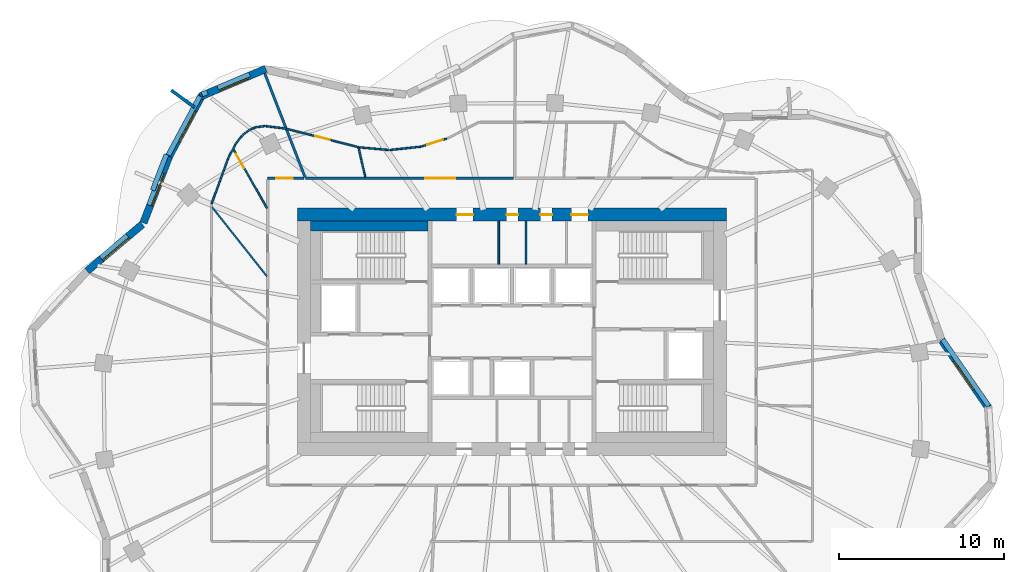
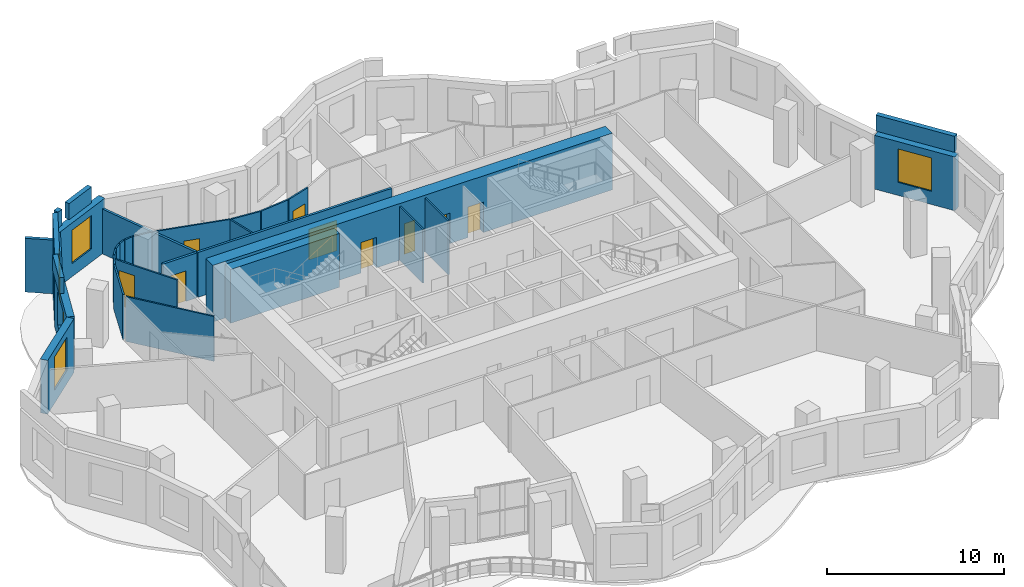
# One storey, part 9 of 13: 32 walls, 9 doors, 5 windows, 14 openings.
"""IFC4 building model written with IfcOpenShell, lengths in metres."""

from ifc_helpers import new_model, si_unit, direction, frame, frame_2d, origin, place, context, subcontext, project, spatial, rectangle, extrude, material, layer, layer_set, type_object, element, fill, save


model = new_model("IFC4")

# Units and contexts
model_context = context("Model", 3, precision=1e-05, world=origin(), true_north=direction((0.0, 1.0)))
body_context = subcontext(model_context, "Body", "Model", "MODEL_VIEW")
ifc_project = project(units=[si_unit("LENGTHUNIT", "METRE"), si_unit("AREAUNIT", "SQUARE_METRE"), si_unit("VOLUMEUNIT", "CUBIC_METRE"), si_unit("PLANEANGLEUNIT", "RADIAN"), si_unit("MASSUNIT", "GRAM", prefix="KILO")], contexts=[model_context])

# Site, building, storey
site_placement = place(None, origin())
site = spatial("IfcSite", under=ifc_project, at=site_placement, CompositionType="ELEMENT")
building_placement = place(site_placement, origin())
building = spatial("IfcBuilding", under=site, at=building_placement, Name="Rubra Terraces Tower", CompositionType="ELEMENT")
storey_placement = place(building_placement, frame((0.0, 0.0, 252.60009765625)))
storey = spatial("IfcBuildingStorey", under=building, at=storey_placement, Name="L62", CompositionType="ELEMENT", Elevation=252.60009765625)

# Wall, opening, window
ifc_material_1 = material(Name="Brick masonry red-brown", Category="masonry")
ifc_layer_1 = layer(ifc_material_1, 0.449951171875)
ifc_layer_set_1 = layer_set([ifc_layer_1], Name="Brick masonry red-brown")
wall_type_1 = type_object("IfcWallType", Name="Brick facade wall 450", PredefinedType="SOLIDWALL", material=ifc_layer_set_1)
wall_1_placement = place(storey_placement, frame((28.87841796875, -0.122802734375, 0.0), z_axis=(0.0, 0.0, 1.0), x_axis=(-0.569394732999, 0.8220642542, 0.0)))
wall_1 = element("IfcWall", 1, at=wall_1_placement, inside=storey, type_object=wall_type_1, Name="Facade wall L62 bay 1", PredefinedType="SOLIDWALL", context=body_context, shape_type="SweptSolid", body=[
    extrude(rectangle(XDim=5.015869140625, YDim=0.449951171875, at=frame_2d((2.5078125, 0.0))), origin(), (0.0, 0.0, 1.0), 3.699951171875),
])
opening_1_placement = place(wall_1_placement, frame((1.4580078125, 0.0, 0.89990234375)))
opening_1 = element("IfcOpeningElement", 2, at=opening_1_placement, cuts=wall_1, Name="Opening W1B", PredefinedType="OPENING", context=body_context, shape_type="SweptSolid", body=[
    extrude(rectangle(XDim=2.10009765625, YDim=2.300048828125, at=frame_2d((1.050048828125, 1.14990234375))), frame((0.0, 0.23486328125, 0.0), z_axis=(0.0, -1.0, 0.0), x_axis=(1.0, 0.0, 0.0)), (0.0, 0.0, 1.0), 0.469970703125),
])
ifc_material_2 = material(Name="Clear glass in aluminium frame", Category="aluminium")
window_type_1 = type_object("IfcWindowType", Name="Fixed deep-set window tall storey 2100 x 2300", PartitioningType="SINGLE_PANEL", PredefinedType="WINDOW", material=ifc_material_2)
window_1_placement = place(opening_1_placement, origin())
window_1 = element("IfcWindow", 3, at=window_1_placement, inside=storey, type_object=window_type_1, Name="Window L62 bay 1", OverallHeight=2.300048828125, OverallWidth=2.10009765625, PartitioningType="SINGLE_PANEL", PredefinedType="WINDOW", context=body_context, shape_type="SweptSolid", body=[
    extrude(rectangle(XDim=2.10009765625, YDim=2.300048828125, at=frame_2d((1.050048828125, 1.14990234375))), frame((0.0, 0.135009765625, 0.0), z_axis=(0.0, -1.0, 0.0), x_axis=(1.0, 0.0, 0.0)), (0.0, 0.0, 1.0), 0.06005859375),
])
fill(opening_1, window_1)

wall_2_placement = place(storey_placement, frame((-14.906494140625, 20.4306640625, 0.0), z_axis=(0.0, 0.0, 1.0), x_axis=(-0.921435803521, -0.388530642279, 0.0)))
wall_2 = element("IfcWall", 4, at=wall_2_placement, inside=storey, type_object=wall_type_1, Name="Facade wall L62 bay 15", PredefinedType="SOLIDWALL", context=body_context, shape_type="SweptSolid", body=[
    extrude(rectangle(XDim=4.308837890625, YDim=0.449951171875, at=frame_2d((2.154296875, 0.0))), origin(), (0.0, 0.0, 1.0), 3.699951171875),
])
opening_2_placement = place(wall_2_placement, frame((1.25439453125, 0.0, 0.89990234375)))
opening_2 = element("IfcOpeningElement", 5, at=opening_2_placement, cuts=wall_2, Name="Opening W6B", PredefinedType="OPENING", context=body_context, shape_type="SweptSolid", body=[
    extrude(rectangle(XDim=1.800048828125, YDim=2.300048828125, at=frame_2d((0.89990234375, 1.14990234375))), frame((0.0, 0.23486328125, 0.0), z_axis=(0.0, -1.0, 0.0), x_axis=(1.0, 0.0, 0.0)), (0.0, 0.0, 1.0), 0.469970703125),
])
window_type_2 = type_object("IfcWindowType", Name="Fixed deep-set window at wind fin tall storey 1800 x 2300", PartitioningType="SINGLE_PANEL", PredefinedType="WINDOW", material=ifc_material_2)
window_2_placement = place(opening_2_placement, origin())
window_2 = element("IfcWindow", 6, at=window_2_placement, inside=storey, type_object=window_type_2, Name="Window L62 bay 15", OverallHeight=2.300048828125, OverallWidth=1.800048828125, PartitioningType="SINGLE_PANEL", PredefinedType="WINDOW", context=body_context, shape_type="SweptSolid", body=[
    extrude(rectangle(XDim=1.800048828125, YDim=2.300048828125, at=frame_2d((0.89990234375, 1.14990234375))), frame((0.0, 0.135009765625, 0.0), z_axis=(0.0, -1.0, 0.0), x_axis=(1.0, 0.0, 0.0)), (0.0, 0.0, 1.0), 0.06005859375),
])
fill(opening_2, window_2)

wall_3_placement = place(storey_placement, frame((-18.767333984375, 18.8544921875, 0.0), z_axis=(0.0, 0.0, 1.0), x_axis=(-0.474475888716, -0.880268499395, 0.0)))
wall_3 = element("IfcWall", 7, at=wall_3_placement, inside=storey, type_object=wall_type_1, Name="Facade wall L62 bay 16", PredefinedType="SOLIDWALL", context=body_context, shape_type="SweptSolid", body=[
    extrude(rectangle(XDim=4.21923828125, YDim=0.449951171875, at=frame_2d((2.109619140625, 0.0))), origin(), (0.0, 0.0, 1.0), 3.699951171875),
])
opening_3_placement = place(wall_3_placement, frame((1.059814453125, 0.0, 0.89990234375)))
opening_3 = element("IfcOpeningElement", 8, at=opening_3_placement, cuts=wall_3, Name="Opening W1B", PredefinedType="OPENING", context=body_context, shape_type="SweptSolid", body=[
    extrude(rectangle(XDim=2.10009765625, YDim=2.300048828125, at=frame_2d((1.050048828125, 1.14990234375))), frame((0.0, 0.23486328125, 0.0), z_axis=(0.0, -1.0, 0.0), x_axis=(1.0, 0.0, 0.0)), (0.0, 0.0, 1.0), 0.469970703125),
])
window_3_placement = place(opening_3_placement, origin())
window_3 = element("IfcWindow", 9, at=window_3_placement, inside=storey, type_object=window_type_1, Name="Window L62 bay 16", OverallHeight=2.300048828125, OverallWidth=2.10009765625, PartitioningType="SINGLE_PANEL", PredefinedType="WINDOW", context=body_context, shape_type="SweptSolid", body=[
    extrude(rectangle(XDim=2.10009765625, YDim=2.300048828125, at=frame_2d((1.050048828125, 1.14990234375))), frame((0.0, 0.135009765625, 0.0), z_axis=(0.0, -1.0, 0.0), x_axis=(1.0, 0.0, 0.0)), (0.0, 0.0, 1.0), 0.06005859375),
])
fill(opening_3, window_3)

wall_4_placement = place(storey_placement, frame((-20.757080078125, 15.166015625, 0.0), z_axis=(0.0, 0.0, 1.0), x_axis=(-0.360067043581, -0.932926430179, 0.0)))
wall_4 = element("IfcWall", 10, at=wall_4_placement, inside=storey, type_object=wall_type_1, Name="Facade wall L62 bay 17", PredefinedType="SOLIDWALL", context=body_context, shape_type="SweptSolid", body=[
    extrude(rectangle(XDim=4.35986328125, YDim=0.449951171875, at=frame_2d((2.179931640625, 0.0))), origin(), (0.0, 0.0, 1.0), 3.699951171875),
])
opening_4_placement = place(wall_4_placement, frame((1.1298828125, 0.0, 0.89990234375)))
opening_4 = element("IfcOpeningElement", 11, at=opening_4_placement, cuts=wall_4, Name="Opening W1B", PredefinedType="OPENING", context=body_context, shape_type="SweptSolid", body=[
    extrude(rectangle(XDim=2.10009765625, YDim=2.300048828125, at=frame_2d((1.050048828125, 1.14990234375))), frame((0.0, 0.23486328125, 0.0), z_axis=(0.0, -1.0, 0.0), x_axis=(1.0, 0.0, 0.0)), (0.0, 0.0, 1.0), 0.469970703125),
])
window_4_placement = place(opening_4_placement, origin())
window_4 = element("IfcWindow", 12, at=window_4_placement, inside=storey, type_object=window_type_1, Name="Window L62 bay 17", OverallHeight=2.300048828125, OverallWidth=2.10009765625, PartitioningType="SINGLE_PANEL", PredefinedType="WINDOW", context=body_context, shape_type="SweptSolid", body=[
    extrude(rectangle(XDim=2.10009765625, YDim=2.300048828125, at=frame_2d((1.050048828125, 1.14990234375))), frame((0.0, 0.135009765625, 0.0), z_axis=(0.0, -1.0, 0.0), x_axis=(1.0, 0.0, 0.0)), (0.0, 0.0, 1.0), 0.06005859375),
])
fill(opening_4, window_4)

wall_5_placement = place(storey_placement, frame((-22.385986328125, 11.014404296875, 0.0), z_axis=(0.0, 0.0, 1.0), x_axis=(-0.763569952162, -0.645725118108, 0.0)))
wall_5 = element("IfcWall", 13, at=wall_5_placement, inside=storey, type_object=wall_type_1, Name="Facade wall L62 bay 18", PredefinedType="SOLIDWALL", context=body_context, shape_type="SweptSolid", body=[
    extrude(rectangle(XDim=4.3857421875, YDim=0.449951171875, at=frame_2d((2.19287109375, 0.0))), origin(), (0.0, 0.0, 1.0), 3.699951171875),
])
opening_5_placement = place(wall_5_placement, frame((1.14306640625, 0.0, 0.89990234375)))
opening_5 = element("IfcOpeningElement", 14, at=opening_5_placement, cuts=wall_5, Name="Opening W1B", PredefinedType="OPENING", context=body_context, shape_type="SweptSolid", body=[
    extrude(rectangle(XDim=2.10009765625, YDim=2.300048828125, at=frame_2d((1.050048828125, 1.14990234375))), frame((0.0, 0.23486328125, 0.0), z_axis=(0.0, -1.0, 0.0), x_axis=(1.0, 0.0, 0.0)), (0.0, 0.0, 1.0), 0.469970703125),
])
window_5_placement = place(opening_5_placement, origin())
window_5 = element("IfcWindow", 15, at=window_5_placement, inside=storey, type_object=window_type_1, Name="Window L62 bay 18", OverallHeight=2.300048828125, OverallWidth=2.10009765625, PartitioningType="SINGLE_PANEL", PredefinedType="WINDOW", context=body_context, shape_type="SweptSolid", body=[
    extrude(rectangle(XDim=2.10009765625, YDim=2.300048828125, at=frame_2d((1.050048828125, 1.14990234375))), frame((0.0, 0.135009765625, 0.0), z_axis=(0.0, -1.0, 0.0), x_axis=(1.0, 0.0, 0.0)), (0.0, 0.0, 1.0), 0.06005859375),
])
fill(opening_5, window_5)

# Walls
ifc_layer_2 = layer(ifc_material_1, 0.300048828125)
ifc_layer_set_2 = layer_set([ifc_layer_2], Name="Brick masonry red-brown")
wall_type_2 = type_object("IfcWallType", Name="Brick parapet 300", PredefinedType="PARAPET", material=ifc_layer_set_2)
wall_6_placement = place(storey_placement, frame((28.878662109375, 0.008544921875, 3.89990234375), z_axis=(0.0, 0.0, 1.0), x_axis=(-0.569370412902, 0.822081098744, 0.0)))
element("IfcWall", 16, at=wall_6_placement, inside=storey, type_object=wall_type_2, Name="Parapet L62 bay 1", PredefinedType="PARAPET", context=body_context, shape_type="SweptSolid", body=[
    extrude(rectangle(XDim=4.90576171875, YDim=0.300048828125, at=frame_2d((2.452880859375, 0.0))), origin(), (0.0, 0.0, 1.0), 1.10009765625),
])
wall_7_placement = place(storey_placement, frame((-15.890869140625, 20.096923828125, 3.89990234375), z_axis=(0.0, 0.0, 1.0), x_axis=(-0.921468908678, -0.388452121038, 0.0)))
element("IfcWall", 17, at=wall_7_placement, inside=storey, type_object=wall_type_2, Name="Parapet L62 bay 15", PredefinedType="PARAPET", context=body_context, shape_type="SweptSolid", body=[
    extrude(rectangle(XDim=2.09912109375, YDim=0.300048828125, at=frame_2d((1.049560546875, 0.0))), origin(), (0.0, 0.0, 1.0), 1.10009765625),
])
wall_8_placement = place(storey_placement, frame((-18.4462890625, 19.01953125, 3.89990234375), z_axis=(0.0, 0.0, 1.0), x_axis=(-0.921356634102, -0.388718346358, 0.0)))
element("IfcWall", 18, at=wall_8_placement, inside=storey, type_object=wall_type_2, Name="Parapet L62 bay 15.2", PredefinedType="PARAPET", context=body_context, shape_type="SweptSolid", body=[
    extrude(rectangle(XDim=0.363037109375, YDim=0.300048828125, at=frame_2d((0.181640625, 0.0))), origin(), (0.0, 0.0, 1.0), 1.10009765625),
])
wall_9_placement = place(storey_placement, frame((-18.896484375, 18.7734375, 3.89990234375), z_axis=(0.0, 0.0, 1.0), x_axis=(-0.474444905835, -0.880285198857, 0.0)))
element("IfcWall", 19, at=wall_9_placement, inside=storey, type_object=wall_type_2, Name="Parapet L62 bay 16", PredefinedType="PARAPET", context=body_context, shape_type="SweptSolid", body=[
    extrude(rectangle(XDim=4.0498046875, YDim=0.300048828125, at=frame_2d((2.02490234375, 0.0))), origin(), (0.0, 0.0, 1.0), 1.10009765625),
])
wall_10_placement = place(storey_placement, frame((-20.932861328125, 15.236572265625, 3.89990234375), z_axis=(0.0, 0.0, 1.0), x_axis=(-0.360021038217, -0.932944184848, 0.0)))
element("IfcWall", 20, at=wall_10_placement, inside=storey, type_object=wall_type_2, Name="Parapet L62 bay 17", PredefinedType="PARAPET", context=body_context, shape_type="SweptSolid", body=[
    extrude(rectangle(XDim=2.3232421875, YDim=0.300048828125, at=frame_2d((1.16162109375, 0.0))), origin(), (0.0, 0.0, 1.0), 1.10009765625),
])
ifc_layer_3 = layer(ifc_material_1, 0.199951171875)
ifc_layer_set_3 = layer_set([ifc_layer_3], Name="Brick masonry red-brown")
wall_type_3 = type_object("IfcWallType", Name="Brick wind fin 200", PredefinedType="SOLIDWALL", material=ifc_layer_set_3)
wall_11_placement = place(storey_placement, frame((-19.23095703125, 18.09912109375, 0.0), z_axis=(0.0, 0.0, 1.0), x_axis=(-0.806085538754, 0.591799040394, 0.0)))
element("IfcWall", 21, at=wall_11_placement, inside=storey, type_object=wall_type_3, Name="Wind fin L62 10", PredefinedType="SOLIDWALL", context=body_context, shape_type="SweptSolid", body=[
    extrude(rectangle(XDim=1.75, YDim=0.199951171875, at=frame_2d((0.875, 0.0))), origin(), (0.0, 0.0, 1.0), 3.699951171875),
])

# Wall, openings, doors
ifc_material_3 = material(Name="Concrete C50", Category="concrete")
ifc_layer_4 = layer(ifc_material_3, 0.800048828125)
ifc_layer_set_4 = layer_set([ifc_layer_4], Name="Concrete C50")
wall_type_4 = type_object("IfcWallType", Name="CORE WALL 800 C50", PredefinedType="SHEAR", material=ifc_layer_set_4)
wall_12_placement = place(storey_placement, frame((-13.0, 11.60009765625, 0.0), z_axis=(0.0, 0.0, 1.0), x_axis=(1.0, 0.0, 0.0)))
wall_12 = element("IfcWall", 22, at=wall_12_placement, inside=storey, type_object=wall_type_4, Name="CORE WALL N L62", PredefinedType="SHEAR", context=body_context, shape_type="SweptSolid", body=[
    extrude(rectangle(XDim=26.0, YDim=0.800048828125, at=frame_2d((13.0, 0.0))), origin(), (0.0, 0.0, 1.0), 3.89990234375),
])
opening_6_placement = place(wall_12_placement, frame((9.64990234375, 0.0, 0.0)))
opening_6 = element("IfcOpeningElement", 23, at=opening_6_placement, cuts=wall_12, Name="Opening L62.C25", PredefinedType="OPENING", context=body_context, shape_type="SweptSolid", body=[
    extrude(rectangle(XDim=1.0, YDim=2.10009765625, at=frame_2d((0.5, 1.050048828125))), frame((0.0, 0.409912109375, 0.0), z_axis=(0.0, -1.0, 0.0), x_axis=(1.0, 0.0, 0.0)), (0.0, 0.0, 1.0), 0.820068359375),
])
opening_7_placement = place(wall_12_placement, frame((12.675048828125, 0.0, 0.0)))
opening_7 = element("IfcOpeningElement", 24, at=opening_7_placement, cuts=wall_12, Name="Opening L62.C26", PredefinedType="OPENING", context=body_context, shape_type="SweptSolid", body=[
    extrude(rectangle(XDim=0.699951171875, YDim=2.10009765625, at=frame_2d((0.35009765625, 1.050048828125))), frame((0.0, 0.409912109375, 0.0), z_axis=(0.0, -1.0, 0.0), x_axis=(1.0, 0.0, 0.0)), (0.0, 0.0, 1.0), 0.820068359375),
])
opening_8_placement = place(wall_12_placement, frame((14.72509765625, 0.0, 0.0)))
opening_8 = element("IfcOpeningElement", 25, at=opening_8_placement, cuts=wall_12, Name="Opening L62.C27", PredefinedType="OPENING", context=body_context, shape_type="SweptSolid", body=[
    extrude(rectangle(XDim=0.699951171875, YDim=2.10009765625, at=frame_2d((0.35009765625, 1.050048828125))), frame((0.0, 0.409912109375, 0.0), z_axis=(0.0, -1.0, 0.0), x_axis=(1.0, 0.0, 0.0)), (0.0, 0.0, 1.0), 0.820068359375),
])
opening_9_placement = place(wall_12_placement, frame((16.60009765625, 0.0, 0.0)))
opening_9 = element("IfcOpeningElement", 26, at=opening_9_placement, cuts=wall_12, Name="Opening L62.C28", PredefinedType="OPENING", context=body_context, shape_type="SweptSolid", body=[
    extrude(rectangle(XDim=1.0, YDim=2.10009765625, at=frame_2d((0.5, 1.050048828125))), frame((0.0, 0.409912109375, 0.0), z_axis=(0.0, -1.0, 0.0), x_axis=(1.0, 0.0, 0.0)), (0.0, 0.0, 1.0), 0.820068359375),
])
ifc_material_4 = material(Name="Painted steel", Category="steel")
door_type_1 = type_object("IfcDoorType", Name="Fire door 1000x2100 single", OperationType="NOTDEFINED", PredefinedType="DOOR", material=ifc_material_4)
door_1_placement = place(opening_6_placement, origin())
door_1 = element("IfcDoor", 27, at=door_1_placement, inside=storey, type_object=door_type_1, Name="Tea point door", OperationType="SINGLE_SWING_LEFT", OverallHeight=2.10009765625, OverallWidth=1.0, PredefinedType="DOOR", context=body_context, shape_type="SweptSolid", body=[
    extrude(rectangle(XDim=1.0, YDim=2.10009765625, at=frame_2d((0.5, 1.050048828125))), frame((0.0, 0.02490234375, 0.0), z_axis=(0.0, -1.0, 0.0), x_axis=(1.0, 0.0, 0.0)), (0.0, 0.0, 1.0), 0.050048828125),
])
fill(opening_6, door_1)
door_2_placement = place(opening_9_placement, origin())
door_2 = element("IfcDoor", 28, at=door_2_placement, inside=storey, type_object=door_type_1, Name="General store door", OperationType="SINGLE_SWING_RIGHT", OverallHeight=2.10009765625, OverallWidth=1.0, PredefinedType="DOOR", context=body_context, shape_type="SweptSolid", body=[
    extrude(rectangle(XDim=1.0, YDim=2.10009765625, at=frame_2d((0.5, 1.050048828125))), frame((0.0, 0.02490234375, 0.0), z_axis=(0.0, -1.0, 0.0), x_axis=(1.0, 0.0, 0.0)), (0.0, 0.0, 1.0), 0.050048828125),
])
fill(opening_9, door_2)
door_type_2 = type_object("IfcDoorType", Name="Riser access door 700x2100 single", OperationType="NOTDEFINED", PredefinedType="DOOR", material=ifc_material_4)
door_3_placement = place(opening_7_placement, origin())
door_3 = element("IfcDoor", 29, at=door_3_placement, inside=storey, type_object=door_type_2, Name="Electrical riser room door", OperationType="SINGLE_SWING_RIGHT", OverallHeight=2.10009765625, OverallWidth=0.699951171875, PredefinedType="DOOR", context=body_context, shape_type="SweptSolid", body=[
    extrude(rectangle(XDim=0.699951171875, YDim=2.10009765625, at=frame_2d((0.35009765625, 1.050048828125))), frame((0.0, 0.02490234375, 0.0), z_axis=(0.0, -1.0, 0.0), x_axis=(1.0, 0.0, 0.0)), (0.0, 0.0, 1.0), 0.050048828125),
])
fill(opening_7, door_3)
door_4_placement = place(opening_8_placement, origin())
door_4 = element("IfcDoor", 30, at=door_4_placement, inside=storey, type_object=door_type_2, Name="Telecoms room door", OperationType="SINGLE_SWING_LEFT", OverallHeight=2.10009765625, OverallWidth=0.699951171875, PredefinedType="DOOR", context=body_context, shape_type="SweptSolid", body=[
    extrude(rectangle(XDim=0.699951171875, YDim=2.10009765625, at=frame_2d((0.35009765625, 1.050048828125))), frame((0.0, 0.02490234375, 0.0), z_axis=(0.0, -1.0, 0.0), x_axis=(1.0, 0.0, 0.0)), (0.0, 0.0, 1.0), 0.050048828125),
])
fill(opening_8, door_4)

# Wall, opening, door
ifc_material_5 = material(Name="Plasterboard on steel stud, mineral wool infill", Category="steel")
ifc_layer_5 = layer(ifc_material_5, 0.14990234375)
ifc_layer_set_5 = layer_set([ifc_layer_5], Name="Plasterboard on steel stud, mineral wool infill")
wall_type_5 = type_object("IfcWallType", Name="CORRIDOR PARTITION 150", PredefinedType="PARTITIONING", material=ifc_layer_set_5)
wall_13_placement = place(storey_placement, frame((0.09765625, 13.800048828125, 0.0), z_axis=(0.0, 0.0, 1.0), x_axis=(-1.0, 0.0, 0.0)))
wall_13 = element("IfcWall", 31, at=wall_13_placement, inside=storey, type_object=wall_type_5, Name="PARTITION", PredefinedType="PARTITIONING", context=body_context, shape_type="SweptSolid", body=[
    extrude(rectangle(XDim=12.608642578125, YDim=0.14990234375, at=frame_2d((6.30419921875, 0.0))), origin(), (0.0, 0.0, 1.0), 3.083984375),
])
opening_10_placement = place(wall_13_placement, frame((3.548095703125, 0.0, 0.0)))
opening_10 = element("IfcOpeningElement", 32, at=opening_10_placement, cuts=wall_13, Name="Opening 62-105", PredefinedType="OPENING", context=body_context, shape_type="SweptSolid", body=[
    extrude(rectangle(XDim=1.800048828125, YDim=2.10009765625, at=frame_2d((0.89990234375, 1.050048828125))), frame((0.0, 0.0849609375, 0.0), z_axis=(0.0, -1.0, 0.0), x_axis=(1.0, 0.0, 0.0)), (0.0, 0.0, 1.0), 0.169921875),
])
ifc_material_6 = material(Name="Painted timber door leaf, double", Category="wood")
door_type_3 = type_object("IfcDoorType", Name="ROOM DOUBLE DOOR 1800 X 2100", OperationType="DOUBLE_DOOR_SINGLE_SWING", PredefinedType="DOOR", material=ifc_material_6)
door_5_placement = place(opening_10_placement, origin())
door_5 = element("IfcDoor", 33, at=door_5_placement, inside=storey, type_object=door_type_3, Name="DOOR 62-105", OperationType="DOUBLE_DOOR_SINGLE_SWING", OverallHeight=2.10009765625, OverallWidth=1.800048828125, PredefinedType="DOOR", context=body_context, shape_type="SweptSolid", body=[
    extrude(rectangle(XDim=1.800048828125, YDim=2.10009765625, at=frame_2d((0.89990234375, 1.050048828125))), frame((0.0, 0.02490234375, 0.0), z_axis=(0.0, -1.0, 0.0), x_axis=(1.0, 0.0, 0.0)), (0.0, 0.0, 1.0), 0.050048828125),
])
fill(opening_10, door_5)

wall_14_placement = place(storey_placement, frame((-12.5859375, 13.800048828125, 0.0), z_axis=(0.0, 0.0, 1.0), x_axis=(-1.0, 0.0, 0.0)))
wall_14 = element("IfcWall", 34, at=wall_14_placement, inside=storey, type_object=wall_type_5, Name="PARTITION", PredefinedType="PARTITIONING", context=body_context, shape_type="SweptSolid", body=[
    extrude(rectangle(XDim=2.214111328125, YDim=0.14990234375, at=frame_2d((1.10693359375, 0.0))), origin(), (0.0, 0.0, 1.0), 3.083984375),
])
opening_11_placement = place(wall_14_placement, frame((0.699951171875, 0.0, 0.0)))
opening_11 = element("IfcOpeningElement", 35, at=opening_11_placement, cuts=wall_14, Name="Opening 62-108", PredefinedType="OPENING", context=body_context, shape_type="SweptSolid", body=[
    extrude(rectangle(XDim=1.0, YDim=2.10009765625, at=frame_2d((0.5, 1.050048828125))), frame((0.0, 0.0849609375, 0.0), z_axis=(0.0, -1.0, 0.0), x_axis=(1.0, 0.0, 0.0)), (0.0, 0.0, 1.0), 0.169921875),
])
ifc_material_7 = material(Name="Painted timber door leaf", Category="wood")
door_type_4 = type_object("IfcDoorType", Name="ROOM DOOR 1000 X 2100", OperationType="SINGLE_SWING_LEFT", PredefinedType="DOOR", material=ifc_material_7)
door_6_placement = place(opening_11_placement, origin())
door_6 = element("IfcDoor", 36, at=door_6_placement, inside=storey, type_object=door_type_4, Name="DOOR 62-108", OperationType="SINGLE_SWING_RIGHT", OverallHeight=2.10009765625, OverallWidth=1.0, PredefinedType="DOOR", context=body_context, shape_type="SweptSolid", body=[
    extrude(rectangle(XDim=1.0, YDim=2.10009765625, at=frame_2d((0.5, 1.050048828125))), frame((0.0, 0.02490234375, 0.0), z_axis=(0.0, -1.0, 0.0), x_axis=(1.0, 0.0, 0.0)), (0.0, 0.0, 1.0), 0.050048828125),
])
fill(opening_11, door_6)

# Wall
ifc_material_8 = material(Name="Concrete C40", Category="concrete")
ifc_layer_6 = layer(ifc_material_8, 0.60009765625)
ifc_layer_set_6 = layer_set([ifc_layer_6], Name="Concrete C40")
wall_type_6 = type_object("IfcWallType", Name="Core lining wall 600 concrete", PredefinedType="SOLIDWALL", material=ifc_layer_set_6)
wall_15_placement = place(storey_placement, frame((-12.199951171875, 10.89990234375, 0.0), z_axis=(0.0, 0.0, 1.0), x_axis=(1.0, 0.0, 0.0)))
element("IfcWall", 37, at=wall_15_placement, inside=storey, type_object=wall_type_6, Name="CORE LINING WALL L62", PredefinedType="SOLIDWALL", context=body_context, shape_type="SweptSolid", body=[
    extrude(rectangle(XDim=7.099853515625, YDim=0.60009765625, at=frame_2d((3.5498046875, 0.0))), origin(), (0.0, 0.0, 1.0), 3.699951171875),
])

# Wall, opening, door
ifc_material_9 = material(Name="Plasterboard on steel stud", Category="steel")
ifc_layer_7 = layer(ifc_material_9, 0.10009765625)
ifc_layer_set_7 = layer_set([ifc_layer_7], Name="Plasterboard on steel stud")
wall_type_7 = type_object("IfcWallType", Name="ROOM PARTITION 100", PredefinedType="PARTITIONING", material=ifc_layer_set_7)
wall_16_placement = place(storey_placement, frame((-13.653076171875, 16.798828125, 0.0), z_axis=(0.0, 0.0, 1.0), x_axis=(0.968837918763, -0.247695553386, 0.0)))
wall_16 = element("IfcWall", 38, at=wall_16_placement, inside=storey, type_object=wall_type_7, Name="PARTITION", PredefinedType="PARTITIONING", context=body_context, shape_type="SweptSolid", body=[
    extrude(rectangle(XDim=4.528076171875, YDim=0.10009765625, at=frame_2d((2.26416015625, 0.0))), origin(), (0.0, 0.0, 1.0), 3.083984375),
])
opening_12_placement = place(wall_16_placement, frame((1.7900390625, 0.0, 0.0)))
opening_12 = element("IfcOpeningElement", 39, at=opening_12_placement, cuts=wall_16, Name="Opening 62-107", PredefinedType="OPENING", context=body_context, shape_type="SweptSolid", body=[
    extrude(rectangle(XDim=0.89990234375, YDim=2.10009765625, at=frame_2d((0.449951171875, 1.050048828125))), frame((0.0, 0.06005859375, 0.0), z_axis=(0.0, -1.0, 0.0), x_axis=(1.0, 0.0, 0.0)), (0.0, 0.0, 1.0), 0.1201171875),
])
door_type_5 = type_object("IfcDoorType", Name="ROOM DOOR 900 X 2100", OperationType="SINGLE_SWING_LEFT", PredefinedType="DOOR", material=ifc_material_7)
door_7_placement = place(opening_12_placement, origin())
door_7 = element("IfcDoor", 40, at=door_7_placement, inside=storey, type_object=door_type_5, Name="DOOR 62-107", OperationType="SINGLE_SWING_LEFT", OverallHeight=2.10009765625, OverallWidth=0.89990234375, PredefinedType="DOOR", context=body_context, shape_type="SweptSolid", body=[
    extrude(rectangle(XDim=0.89990234375, YDim=2.10009765625, at=frame_2d((0.449951171875, 1.050048828125))), frame((0.0, 0.02490234375, 0.0), z_axis=(0.0, -1.0, 0.0), x_axis=(1.0, 0.0, 0.0)), (0.0, 0.0, 1.0), 0.050048828125),
])
fill(opening_12, door_7)

# Walls
wall_17_placement = place(storey_placement, frame((-9.21630859375, 15.672607421875, 0.0), z_axis=(0.0, 0.0, 1.0), x_axis=(0.995953168248, -0.089873726172, 0.0)))
element("IfcWall", 41, at=wall_17_placement, inside=storey, type_object=wall_type_7, Name="PARTITION", PredefinedType="PARTITIONING", context=body_context, shape_type="SweptSolid", body=[
    extrude(rectangle(XDim=1.795654296875, YDim=0.10009765625, at=frame_2d((0.89794921875, 0.0))), origin(), (0.0, 0.0, 1.0), 3.083984375),
])
wall_18_placement = place(storey_placement, frame((-7.37841796875, 15.5166015625, 0.0), z_axis=(0.0, 0.0, 1.0), x_axis=(0.994229805258, 0.107271125359, 0.0)))
element("IfcWall", 42, at=wall_18_placement, inside=storey, type_object=wall_type_7, Name="PARTITION", PredefinedType="PARTITIONING", context=body_context, shape_type="SweptSolid", body=[
    extrude(rectangle(XDim=1.857177734375, YDim=0.10009765625, at=frame_2d((0.9287109375, 0.0))), origin(), (0.0, 0.0, 1.0), 3.083984375),
])

# Wall, opening, door
wall_19_placement = place(storey_placement, frame((-5.484130859375, 15.73046875, 0.0), z_axis=(0.0, 0.0, 1.0), x_axis=(0.955448083824, 0.295159209778, 0.0)))
wall_19 = element("IfcWall", 43, at=wall_19_placement, inside=storey, type_object=wall_type_7, Name="PARTITION", PredefinedType="PARTITIONING", context=body_context, shape_type="SweptSolid", body=[
    extrude(rectangle(XDim=1.59814453125, YDim=0.10009765625, at=frame_2d((0.799072265625, 0.0))), origin(), (0.0, 0.0, 1.0), 3.083984375),
])
opening_13_placement = place(wall_19_placement, frame((0.347900390625, 0.0, 0.0)))
opening_13 = element("IfcOpeningElement", 44, at=opening_13_placement, cuts=wall_19, Name="Opening 62-106", PredefinedType="OPENING", context=body_context, shape_type="SweptSolid", body=[
    extrude(rectangle(XDim=1.0, YDim=2.10009765625, at=frame_2d((0.5, 1.050048828125))), frame((0.0, 0.06005859375, 0.0), z_axis=(0.0, -1.0, 0.0), x_axis=(1.0, 0.0, 0.0)), (0.0, 0.0, 1.0), 0.1201171875),
])
door_8_placement = place(opening_13_placement, origin())
door_8 = element("IfcDoor", 45, at=door_8_placement, inside=storey, type_object=door_type_4, Name="DOOR 62-106", OperationType="SINGLE_SWING_LEFT", OverallHeight=2.10009765625, OverallWidth=1.0, PredefinedType="DOOR", context=body_context, shape_type="SweptSolid", body=[
    extrude(rectangle(XDim=1.0, YDim=2.10009765625, at=frame_2d((0.5, 1.050048828125))), frame((0.0, 0.02490234375, 0.0), z_axis=(0.0, -1.0, 0.0), x_axis=(1.0, 0.0, 0.0)), (0.0, 0.0, 1.0), 0.050048828125),
])
fill(opening_13, door_8)

# Walls
wall_20_placement = place(storey_placement, frame((-8.88916015625, 13.873291015625, 0.0), z_axis=(0.0, 0.0, 1.0), x_axis=(-0.22037699084, 0.975414774293, 0.0)))
element("IfcWall", 46, at=wall_20_placement, inside=storey, type_object=wall_type_7, Name="PARTITION", PredefinedType="PARTITIONING", context=body_context, shape_type="SweptSolid", body=[
    extrude(rectangle(XDim=1.806884765625, YDim=0.10009765625, at=frame_2d((0.9033203125, 0.0))), origin(), (0.0, 0.0, 1.0), 3.083984375),
])
wall_21_placement = place(storey_placement, frame((-18.199951171875, 12.260986328125, 0.0), z_axis=(0.0, 0.0, 1.0), x_axis=(0.344384562173, 0.938828670917, 0.0)))
element("IfcWall", 47, at=wall_21_placement, inside=storey, type_object=wall_type_7, Name="PARTITION", PredefinedType="PARTITIONING", context=body_context, shape_type="SweptSolid", body=[
    extrude(rectangle(XDim=2.981689453125, YDim=0.10009765625, at=frame_2d((1.49072265625, 0.0))), origin(), (0.0, 0.0, 1.0), 3.083984375),
])
wall_22_placement = place(storey_placement, frame((-17.149658203125, 15.104248046875, 0.0), z_axis=(0.0, 0.0, 1.0), x_axis=(0.46990536129, 0.882716801376, 0.0)))
element("IfcWall", 48, at=wall_22_placement, inside=storey, type_object=wall_type_7, Name="PARTITION", PredefinedType="PARTITIONING", context=body_context, shape_type="SweptSolid", body=[
    extrude(rectangle(XDim=0.872314453125, YDim=0.10009765625, at=frame_2d((0.43603515625, 0.0))), origin(), (0.0, 0.0, 1.0), 3.083984375),
])
wall_23_placement = place(storey_placement, frame((-16.709228515625, 15.913818359375, 0.0), z_axis=(0.0, 0.0, 1.0), x_axis=(0.612181321454, 0.790717414544, 0.0)))
element("IfcWall", 49, at=wall_23_placement, inside=storey, type_object=wall_type_7, Name="PARTITION", PredefinedType="PARTITIONING", context=body_context, shape_type="SweptSolid", body=[
    extrude(rectangle(XDim=0.605712890625, YDim=0.10009765625, at=frame_2d((0.302734375, 0.0))), origin(), (0.0, 0.0, 1.0), 3.083984375),
])
wall_24_placement = place(storey_placement, frame((-16.299560546875, 16.42431640625, 0.0), z_axis=(0.0, 0.0, 1.0), x_axis=(0.777836101026, 0.628467182867, 0.0)))
element("IfcWall", 50, at=wall_24_placement, inside=storey, type_object=wall_type_7, Name="PARTITION", PredefinedType="PARTITIONING", context=body_context, shape_type="SweptSolid", body=[
    extrude(rectangle(XDim=0.48046875, YDim=0.10009765625, at=frame_2d((0.240234375, 0.0))), origin(), (0.0, 0.0, 1.0), 3.083984375),
])
wall_25_placement = place(storey_placement, frame((-15.87939453125, 16.74560546875, 0.0), z_axis=(0.0, 0.0, 1.0), x_axis=(0.922945318828, 0.384931082732, 0.0)))
element("IfcWall", 51, at=wall_25_placement, inside=storey, type_object=wall_type_7, Name="PARTITION", PredefinedType="PARTITIONING", context=body_context, shape_type="SweptSolid", body=[
    extrude(rectangle(XDim=0.38427734375, YDim=0.10009765625, at=frame_2d((0.192138671875, 0.0))), origin(), (0.0, 0.0, 1.0), 3.083984375),
])
wall_26_placement = place(storey_placement, frame((-15.47509765625, 16.89990234375, 0.0), z_axis=(0.0, 0.0, 1.0), x_axis=(0.992369617548, 0.123298589477, 0.0)))
element("IfcWall", 52, at=wall_26_placement, inside=storey, type_object=wall_type_7, Name="PARTITION", PredefinedType="PARTITIONING", context=body_context, shape_type="SweptSolid", body=[
    extrude(rectangle(XDim=0.53076171875, YDim=0.10009765625, at=frame_2d((0.265380859375, 0.0))), origin(), (0.0, 0.0, 1.0), 3.083984375),
])
wall_27_placement = place(storey_placement, frame((-14.898681640625, 16.959228515625, 0.0), z_axis=(0.0, 0.0, 1.0), x_axis=(0.992389459051, -0.123138789846, 0.0)))
element("IfcWall", 53, at=wall_27_placement, inside=storey, type_object=wall_type_7, Name="PARTITION", PredefinedType="PARTITIONING", context=body_context, shape_type="SweptSolid", body=[
    extrude(rectangle(XDim=1.20751953125, YDim=0.10009765625, at=frame_2d((0.603759765625, 0.0))), origin(), (0.0, 0.0, 1.0), 3.083984375),
])

# Wall, opening, door
wall_28_placement = place(storey_placement, frame((-14.837158203125, 11.98779296875, 0.0), z_axis=(0.0, 0.0, 1.0), x_axis=(-0.495920621108, 0.868367858433, 0.0)))
wall_28 = element("IfcWall", 54, at=wall_28_placement, inside=storey, type_object=wall_type_7, Name="PARTITION", PredefinedType="PARTITIONING", context=body_context, shape_type="SweptSolid", body=[
    extrude(rectangle(XDim=4.094970703125, YDim=0.10009765625, at=frame_2d((2.04736328125, 0.0))), origin(), (0.0, 0.0, 1.0), 3.083984375),
])
opening_14_placement = place(wall_28_placement, frame((2.800048828125, 0.0, 0.0)))
opening_14 = element("IfcOpeningElement", 55, at=opening_14_placement, cuts=wall_28, Name="Opening 62-109", PredefinedType="OPENING", context=body_context, shape_type="SweptSolid", body=[
    extrude(rectangle(XDim=1.0, YDim=2.39990234375, at=frame_2d((0.5, 1.199951171875))), frame((0.0, 0.06005859375, 0.0), z_axis=(0.0, -1.0, 0.0), x_axis=(1.0, 0.0, 0.0)), (0.0, 0.0, 1.0), 0.1201171875),
])
ifc_material_10 = material(Name="Glazed aluminium meeting door leaf", Category="aluminium")
door_type_6 = type_object("IfcDoorType", Name="MEETING ROOM GLAZED DOOR 1000 X 2400", OperationType="SINGLE_SWING_LEFT", PredefinedType="DOOR", material=ifc_material_10)
door_9_placement = place(opening_14_placement, origin())
door_9 = element("IfcDoor", 56, at=door_9_placement, inside=storey, type_object=door_type_6, Name="DOOR 62-109", OperationType="SINGLE_SWING_LEFT", OverallHeight=2.39990234375, OverallWidth=1.0, PredefinedType="DOOR", context=body_context, shape_type="SweptSolid", body=[
    extrude(rectangle(XDim=1.0, YDim=2.39990234375, at=frame_2d((0.5, 1.199951171875))), frame((0.0, 0.02490234375, 0.0), z_axis=(0.0, -1.0, 0.0), x_axis=(1.0, 0.0, 0.0)), (0.0, 0.0, 1.0), 0.050048828125),
])
fill(opening_14, door_9)

# Walls
wall_29_placement = place(storey_placement, frame((-14.8466796875, 7.8642578125, 0.0), z_axis=(0.0, 0.0, 1.0), x_axis=(-0.62137054643, 0.783516843488, 0.0)))
element("IfcWall", 57, at=wall_29_placement, inside=storey, type_object=wall_type_7, Name="PARTITION", PredefinedType="PARTITIONING", context=body_context, shape_type="SweptSolid", body=[
    extrude(rectangle(XDim=5.3466796875, YDim=0.10009765625, at=frame_2d((2.67333984375, 0.0))), origin(), (0.0, 0.0, 1.0), 3.083984375),
])
ifc_layer_8 = layer(ifc_material_9, 0.14990234375)
ifc_layer_set_8 = layer_set([ifc_layer_8], Name="Plasterboard on steel stud")
wall_type_8 = type_object("IfcWallType", Name="ROOM PARTITION 150", PredefinedType="PARTITIONING", material=ifc_layer_set_8)
wall_30_placement = place(storey_placement, frame((-14.975830078125, 20.15283203125, 0.0), z_axis=(0.0, 0.0, 1.0), x_axis=(0.361720652029, -0.932286527788, 0.0)))
element("IfcWall", 58, at=wall_30_placement, inside=storey, type_object=wall_type_8, Name="PARTITION", PredefinedType="PARTITIONING", context=body_context, shape_type="SweptSolid", body=[
    extrude(rectangle(XDim=6.7392578125, YDim=0.14990234375, at=frame_2d((3.36962890625, 0.0))), origin(), (0.0, 0.0, 1.0), 3.083984375),
])
ifc_material_11 = material(Name="Blockwork", Category="masonry")
ifc_layer_9 = layer(ifc_material_11, 0.10009765625)
ifc_layer_set_9 = layer_set([ifc_layer_9], Name="Blockwork")
wall_type_9 = type_object("IfcWallType", Name="Service partition 100 blockwork", PredefinedType="PARTITIONING", material=ifc_layer_set_9)
for number, where, z_axis, x_axis, name in (
    (59, (-0.800048828125, 8.60009765625, 0.0), (0.0, 0.0, 1.0), (0.0, 1.0, 0.0), "SERVICE ROOM PARTITION L62"),
    (60, (0.85009765625, 8.60009765625, 0.0), (0.0, 0.0, 1.0), (0.0, 1.0, 0.0), "SERVICE ROOM PARTITION L62"),
):
    element("IfcWall", number, at=place(storey_placement, frame(where, z_axis=z_axis, x_axis=x_axis)), inside=storey, type_object=wall_type_9, Name=name, PredefinedType="PARTITIONING", context=body_context, shape_type="SweptSolid", body=[
        extrude(rectangle(XDim=2.599853515625, YDim=0.10009765625, at=frame_2d((1.2998046875, 0.0))), origin(), (0.0, 0.0, 1.0), 3.699951171875),
    ])

save(model, "model.ifc")
